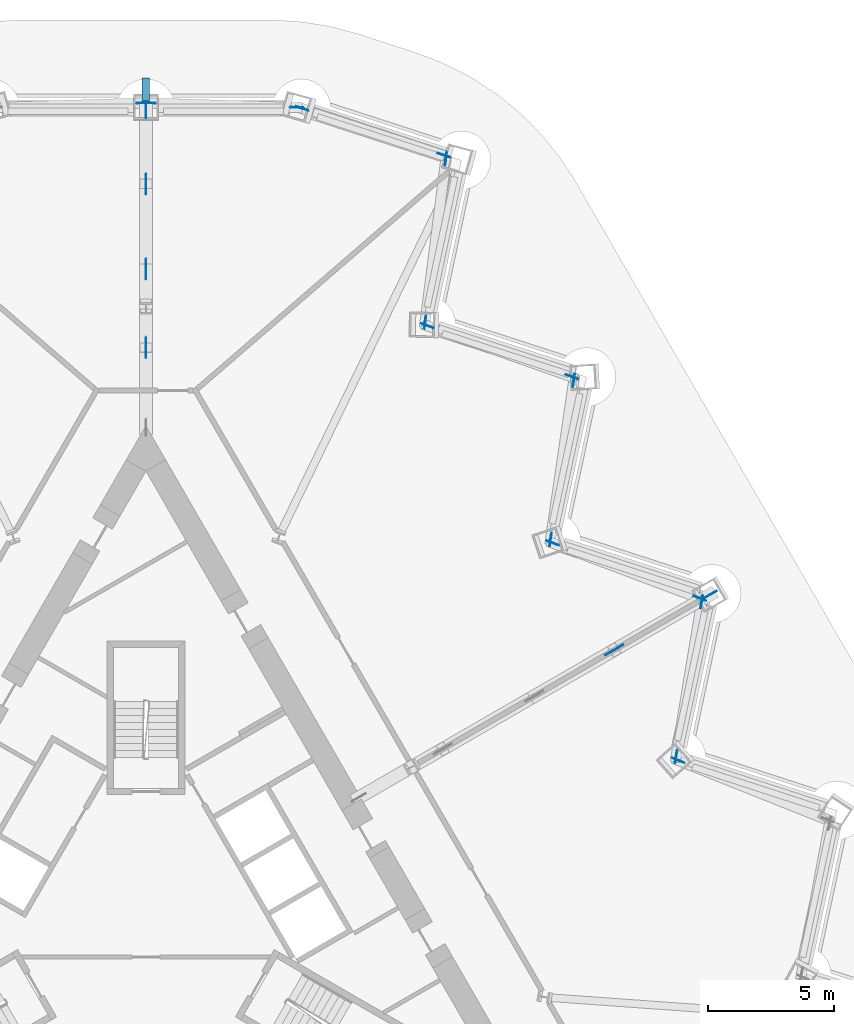
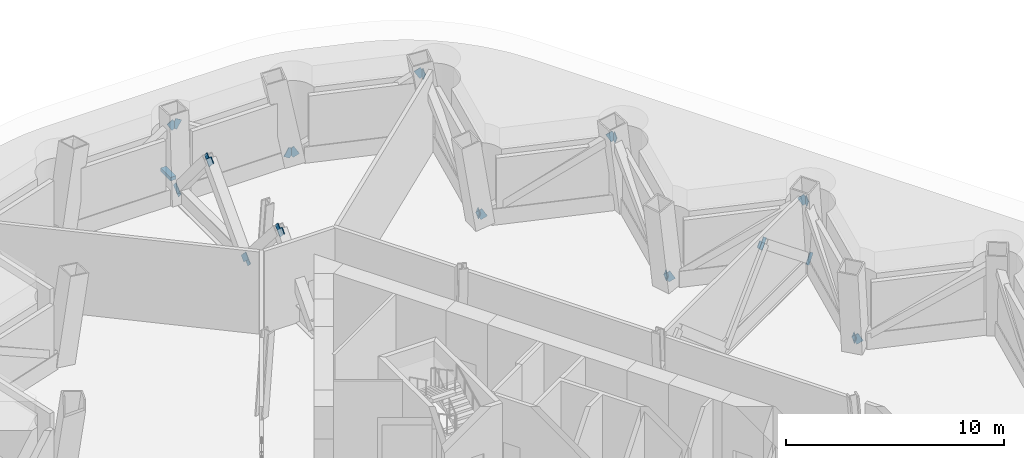
# One storey, part 11 of 14: 27 discrete accessories.
"""IFC4 building model written with IfcOpenShell, lengths in metres."""

from ifc_helpers import new_model, si_unit, direction, frame, origin, origin_2d, place, context, subcontext, project, spatial, rectangle, extrude, material, material_profile, profile_set, type_object, element, save


model = new_model("IFC4")

# Units and contexts
model_context = context("Model", 3, precision=1e-05, world=origin(), true_north=direction((0.0, 1.0)))
body_context = subcontext(model_context, "Body", "Model", "MODEL_VIEW")
ifc_project = project(units=[si_unit("LENGTHUNIT", "METRE"), si_unit("AREAUNIT", "SQUARE_METRE"), si_unit("VOLUMEUNIT", "CUBIC_METRE"), si_unit("PLANEANGLEUNIT", "RADIAN"), si_unit("MASSUNIT", "GRAM", prefix="KILO")], contexts=[model_context])

# Site, building, storey
site_placement = place(None, origin())
site = spatial("IfcSite", under=ifc_project, at=site_placement, CompositionType="ELEMENT")
building_placement = place(site_placement, origin())
building = spatial("IfcBuilding", under=site, at=building_placement, Name="Cormorant Prow Tower", CompositionType="ELEMENT")
storey_placement = place(building_placement, frame((0.0, 0.0, 94.60009765625)))
storey = spatial("IfcBuildingStorey", under=building, at=storey_placement, Name="L19", CompositionType="ELEMENT", Elevation=94.60009765625)

# Discrete accessories
ifc_material_1 = material(Name="Aluminium 6063-T6", Category="aluminium")
discrete_accessory_type_1 = type_object("IfcDiscreteAccessoryType", Name="Fascia bracket 900x300x200", PredefinedType="BRACKET", material=ifc_material_1)
discrete_accessory_1_placement = place(storey_placement, frame((0.0, 32.983642578125, 0.89990234375), z_axis=(0.0, 0.0, 1.0), x_axis=(0.0, 1.0, 0.0)))
element("IfcDiscreteAccessory", 1, at=discrete_accessory_1_placement, inside=storey, type_object=discrete_accessory_type_1, Name="Fascia bracket L19", PredefinedType="BRACKET", context=body_context, shape_type="SweptSolid", body=[
    extrude(rectangle(XDim=0.89990234375, YDim=0.300048828125, at=origin_2d()), origin(), (0.0, 0.0, 1.0), 0.199951171875),
])
ifc_material_2 = material(Name="Structural steel ASTM A500 Gr C", Category="steel")
ifc_material_profile_1 = material_profile(ifc_material_2, rectangle(XDim=0.031982421875, YDim=0.506103515625, at=origin_2d()), Name="Gusset plate 32x506")
ifc_profile_set_1 = profile_set([ifc_material_profile_1], Name="Structural steel ASTM A500 Gr C")
discrete_accessory_type_2 = type_object("IfcDiscreteAccessoryType", Name="Gusset plate 32x506", PredefinedType="BRACKET", material=ifc_profile_set_1)
discrete_accessory_2_placement = place(storey_placement, frame((21.26611328125, 6.292724609375, 0.5966796875), z_axis=(-0.810570531344, 0.322275030534, -0.488993065811), x_axis=(-0.369459572936, -0.929246804657, 0.0)))
element("IfcDiscreteAccessory", 2, at=discrete_accessory_2_placement, inside=storey, type_object=discrete_accessory_type_2, Name="Gusset plate GP2 L19.ENE03.g0", PredefinedType="BRACKET", context=body_context, shape_type="SweptSolid", body=[
    extrude(rectangle(XDim=0.031982421875, YDim=0.506103515625, at=origin_2d()), origin(), (0.0, 0.0, 1.0), 0.35009765625),
])
discrete_accessory_3_placement = place(storey_placement, frame((21.0654296875, 6.64599609375, 0.599365234375), z_axis=(-0.141640436083, -0.855424505606, -0.498183602776), x_axis=(0.986567361509, -0.163354954638, 0.0)))
element("IfcDiscreteAccessory", 3, at=discrete_accessory_3_placement, inside=storey, type_object=discrete_accessory_type_2, Name="Gusset plate GP2 L19.ENE04.g0", PredefinedType="BRACKET", context=body_context, shape_type="SweptSolid", body=[
    extrude(rectangle(XDim=0.031982421875, YDim=0.506103515625, at=origin_2d()), origin(), (0.0, 0.0, 1.0), 0.349853515625),
])
discrete_accessory_4_placement = place(storey_placement, frame((22.0322265625, 12.488037109375, 4.00048828125), z_axis=(0.141555937685, 0.855611505121, 0.497886401513), x_axis=(-0.986588809369, 0.163225369439, 0.0)))
element("IfcDiscreteAccessory", 4, at=discrete_accessory_4_placement, inside=storey, type_object=discrete_accessory_type_2, Name="Gusset plate GP2 L19.ENE04.g1", PredefinedType="BRACKET", context=body_context, shape_type="SweptSolid", body=[
    extrude(rectangle(XDim=0.031982421875, YDim=0.506103515625, at=origin_2d()), origin(), (0.0, 0.0, 1.0), 0.35009765625),
])
discrete_accessory_5_placement = place(storey_placement, frame((16.288330078125, 14.920166015625, 0.599365234375), z_axis=(-0.811441846797, 0.305598907048, -0.498168081352), x_axis=(-0.352445837842, -0.935832213267, 0.0)))
element("IfcDiscreteAccessory", 5, at=discrete_accessory_5_placement, inside=storey, type_object=discrete_accessory_type_2, Name="Gusset plate GP2 L19.ENE05.g0", PredefinedType="BRACKET", context=body_context, shape_type="SweptSolid", body=[
    extrude(rectangle(XDim=0.031982421875, YDim=0.506103515625, at=origin_2d()), origin(), (0.0, 0.0, 1.0), 0.349853515625),
])
for number, where, z_axis, x_axis, name in (
    (6, (21.8310546875, 12.83642578125, 4.00048828125), (0.811679957363, -0.305425963337, 0.497886159413), (0.352180618684, 0.935932055132, 0.0), "Gusset plate GP2 L19.ENE05.g1"),
    (7, (16.082763671875, 15.270751953125, 0.5966796875), (-0.126206554254, -0.863224940143, -0.488788920065), (0.989480605965, -0.144665581324, 0.0), "Gusset plate GP2 L19.ENE06.g0"),
):
    element("IfcDiscreteAccessory", number, at=place(storey_placement, frame(where, z_axis=z_axis, x_axis=x_axis)), inside=storey, type_object=discrete_accessory_type_2, Name=name, PredefinedType="BRACKET", context=body_context, shape_type="SweptSolid", body=[
        extrude(rectangle(XDim=0.031982421875, YDim=0.506103515625, at=origin_2d()), origin(), (0.0, 0.0, 1.0), 0.35009765625),
    ])
discrete_accessory_6_placement = place(storey_placement, frame((16.959716796875, 21.27978515625, 4.003173828125), z_axis=(0.125595898471, 0.863122924491, 0.489126249045), x_axis=(-0.989578150356, 0.143996820585, 0.0)))
element("IfcDiscreteAccessory", 8, at=discrete_accessory_6_placement, inside=storey, type_object=discrete_accessory_type_2, Name="Gusset plate GP2 L19.ENE06.g1", PredefinedType="BRACKET", context=body_context, shape_type="SweptSolid", body=[
    extrude(rectangle(XDim=0.031982421875, YDim=0.506103515625, at=origin_2d()), origin(), (0.0, 0.0, 1.0), 0.349853515625),
])
for number, where, z_axis, x_axis, name in (
    (9, (11.310546875, 23.5478515625, 0.60205078125), (-0.812582371052, 0.287368186157, -0.50707929936), (-0.333412674989, -0.942780986315, 0.0), "Gusset plate GP2 L19.ENE07.g0"),
    (10, (16.753662109375, 21.625, 3.997802734375), (0.812582371052, -0.287368186157, 0.50707929936), (0.333412674989, 0.942780986315, 0.0), "Gusset plate GP2 L19.ENE07.g1"),
    (11, (11.10009765625, 23.89501953125, 0.593994140625), (-0.110914940068, -0.869880064557, -0.48063140696), (0.991968902423, -0.126482001191, 0.0), "Gusset plate GP2 L19.ENE08.g0"),
):
    element("IfcDiscreteAccessory", number, at=place(storey_placement, frame(where, z_axis=z_axis, x_axis=x_axis)), inside=storey, type_object=discrete_accessory_type_2, Name=name, PredefinedType="BRACKET", context=body_context, shape_type="SweptSolid", body=[
        extrude(rectangle(XDim=0.031982421875, YDim=0.506103515625, at=origin_2d()), origin(), (0.0, 0.0, 1.0), 0.35009765625),
    ])
for number, where, z_axis, x_axis, name in (
    (12, (11.886962890625, 30.07177734375, 4.005859375), (0.110952119107, 0.870171651111, 0.480094704061), (-0.991968902423, 0.126482001191, 0.0), "Gusset plate GP2 L19.ENE08.g1"),
    (13, (6.332763671875, 32.176025390625, 0.604736328125), (-0.813455201043, 0.267896052488, -0.516258017815), (-0.312804411353, -0.949817561555, 0.0), "Gusset plate GP2 L19.ENE09.g0"),
    (14, (11.67626953125, 30.4130859375, 3.9951171875), (0.813455201043, -0.267896052488, 0.516258017815), (0.312804411353, 0.949817561555, 0.0), "Gusset plate GP2 L19.ENE09.g1"),
):
    element("IfcDiscreteAccessory", number, at=place(storey_placement, frame(where, z_axis=z_axis, x_axis=x_axis)), inside=storey, type_object=discrete_accessory_type_2, Name=name, PredefinedType="BRACKET", context=body_context, shape_type="SweptSolid", body=[
        extrude(rectangle(XDim=0.031982421875, YDim=0.506103515625, at=origin_2d()), origin(), (0.0, 0.0, 1.0), 0.349853515625),
    ])
for number, where, z_axis, x_axis, name in (
    (15, (5.832275390625, 32.264404296875, 0.605712890625), (0.854100586258, -0.026494548798, -0.519432601439), (0.031005493988, 0.999519214094, 0.0), "Gusset plate GP2 L19.N00.g0"),
    (16, (0.25634765625, 32.43603515625, 3.994140625), (-0.854409868818, 0.026504142869, 0.518923218286), (-0.031005493988, -0.999519214094, 0.0), "Gusset plate GP2 L19.N00.g1"),
    (17, (-0.25634765625, 32.43603515625, 3.994140625), (0.854409868818, 0.026504142869, 0.518923218286), (-0.031005493988, 0.999519214094, 0.0), "Gusset plate GP2 L19.N01.g1"),
):
    element("IfcDiscreteAccessory", number, at=place(storey_placement, frame(where, z_axis=z_axis, x_axis=x_axis)), inside=storey, type_object=discrete_accessory_type_2, Name=name, PredefinedType="BRACKET", context=body_context, shape_type="SweptSolid", body=[
        extrude(rectangle(XDim=0.031982421875, YDim=0.506103515625, at=origin_2d()), origin(), (0.0, 0.0, 1.0), 0.35009765625),
    ])
ifc_material_3 = material(Name="Structural steel ASTM A500 Gr C", Category="steel")
ifc_material_profile_2 = material_profile(ifc_material_3, rectangle(XDim=0.031982421875, YDim=0.60791015625, at=origin_2d()), Name="Gusset plate 32x608")
ifc_profile_set_2 = profile_set([ifc_material_profile_2], Name="Structural steel ASTM A500 Gr C")
discrete_accessory_type_3 = type_object("IfcDiscreteAccessoryType", Name="Gusset plate 32x608", PredefinedType="BRACKET", material=ifc_profile_set_2)
discrete_accessory_7_placement = place(storey_placement, frame((0.0, 22.530517578125, 3.877197265625), z_axis=(0.0, 0.670273867195, 0.74211383423), x_axis=(-1.0, 0.0, 0.0)))
element("IfcDiscreteAccessory", 18, at=discrete_accessory_7_placement, inside=storey, type_object=discrete_accessory_type_3, Name="Gusset plate GP1 L19.01.1.g1", PredefinedType="BRACKET", context=body_context, shape_type="SweptSolid", body=[
    extrude(rectangle(XDim=0.031982421875, YDim=0.60791015625, at=origin_2d()), origin(), (0.0, 0.0, 1.0), 0.35009765625),
])
for number, where, z_axis, x_axis, name in (
    (19, (0.0, 22.92822265625, 3.873291015625), (0.0, -0.655435300956, 0.755251326554), (1.0, 0.0, 0.0), "Gusset plate GP1 L19.01.2.g0"),
    (20, (0.0, 25.66015625, 0.7265625), (0.0, 0.655833178301, -0.754905849917), (-1.0, 0.0, 0.0), "Gusset plate GP1 L19.01.2.g1"),
    (21, (0.0, 26.06201171875, 0.71875), (0.0, -0.684428339964, -0.729080137882), (1.0, 0.0, 0.0), "Gusset plate GP1 L19.01.3.g0"),
    (22, (0.0, 29.02978515625, 3.881103515625), (0.0, 0.684428339964, 0.729080137882), (-1.0, 0.0, 0.0), "Gusset plate GP1 L19.01.3.g1"),
):
    element("IfcDiscreteAccessory", number, at=place(storey_placement, frame(where, z_axis=z_axis, x_axis=x_axis)), inside=storey, type_object=discrete_accessory_type_3, Name=name, PredefinedType="BRACKET", context=body_context, shape_type="SweptSolid", body=[
        extrude(rectangle(XDim=0.031982421875, YDim=0.60791015625, at=origin_2d()), origin(), (0.0, 0.0, 1.0), 0.349853515625),
    ])
discrete_accessory_8_placement = place(storey_placement, frame((0.0, 29.42724609375, 3.869140625), z_axis=(0.0, -0.640047231584, 0.768335565584), x_axis=(1.0, 0.0, 0.0)))
element("IfcDiscreteAccessory", 23, at=discrete_accessory_8_placement, inside=storey, type_object=discrete_accessory_type_3, Name="Gusset plate GP1 L19.01.4.g0", PredefinedType="BRACKET", context=body_context, shape_type="SweptSolid", body=[
    extrude(rectangle(XDim=0.031982421875, YDim=0.60791015625, at=origin_2d()), origin(), (0.0, 0.0, 1.0), 0.35009765625),
])
discrete_accessory_9_placement = place(storey_placement, frame((0.0, 32.041748046875, 0.73046875), z_axis=(0.0, 0.639978437625, -0.768392867858), x_axis=(-1.0, 0.0, 0.0)))
element("IfcDiscreteAccessory", 24, at=discrete_accessory_9_placement, inside=storey, type_object=discrete_accessory_type_3, Name="Gusset plate GP1 L19.01.4.g1", PredefinedType="BRACKET", context=body_context, shape_type="SweptSolid", body=[
    extrude(rectangle(XDim=0.031982421875, YDim=0.60791015625, at=origin_2d()), origin(), (0.0, 0.0, 1.0), 0.349853515625),
])
discrete_accessory_10_placement = place(storey_placement, frame((18.404296875, 10.625732421875, 3.8896484375), z_axis=(0.61803251656, 0.35714745878, 0.700343844951), x_axis=(-0.500342721131, 0.865827443207, 0.0)))
element("IfcDiscreteAccessory", 25, at=discrete_accessory_10_placement, inside=storey, type_object=discrete_accessory_type_3, Name="Gusset plate GP1 L19.11.3.g1", PredefinedType="BRACKET", context=body_context, shape_type="SweptSolid", body=[
    extrude(rectangle(XDim=0.031982421875, YDim=0.60791015625, at=origin_2d()), origin(), (0.0, 0.0, 1.0), 0.35009765625),
])
for number, where, z_axis, x_axis, name in (
    (26, (18.7919921875, 10.849609375, 3.911376953125), (-0.673941095843, -0.389295167164, 0.627895430909), (0.500187988959, -0.865916841101, 0.0), "Gusset plate GP1 L19.11.4.g0"),
    (27, (22.2548828125, 12.848876953125, 0.688232421875), (0.674616757849, 0.389282472471, -0.627177316759), (-0.499799992569, 0.866140847338, 0.0), "Gusset plate GP1 L19.11.4.g1"),
):
    element("IfcDiscreteAccessory", number, at=place(storey_placement, frame(where, z_axis=z_axis, x_axis=x_axis)), inside=storey, type_object=discrete_accessory_type_3, Name=name, PredefinedType="BRACKET", context=body_context, shape_type="SweptSolid", body=[
        extrude(rectangle(XDim=0.031982421875, YDim=0.60791015625, at=origin_2d()), origin(), (0.0, 0.0, 1.0), 0.349853515625),
    ])

save(model, "model.ifc")
